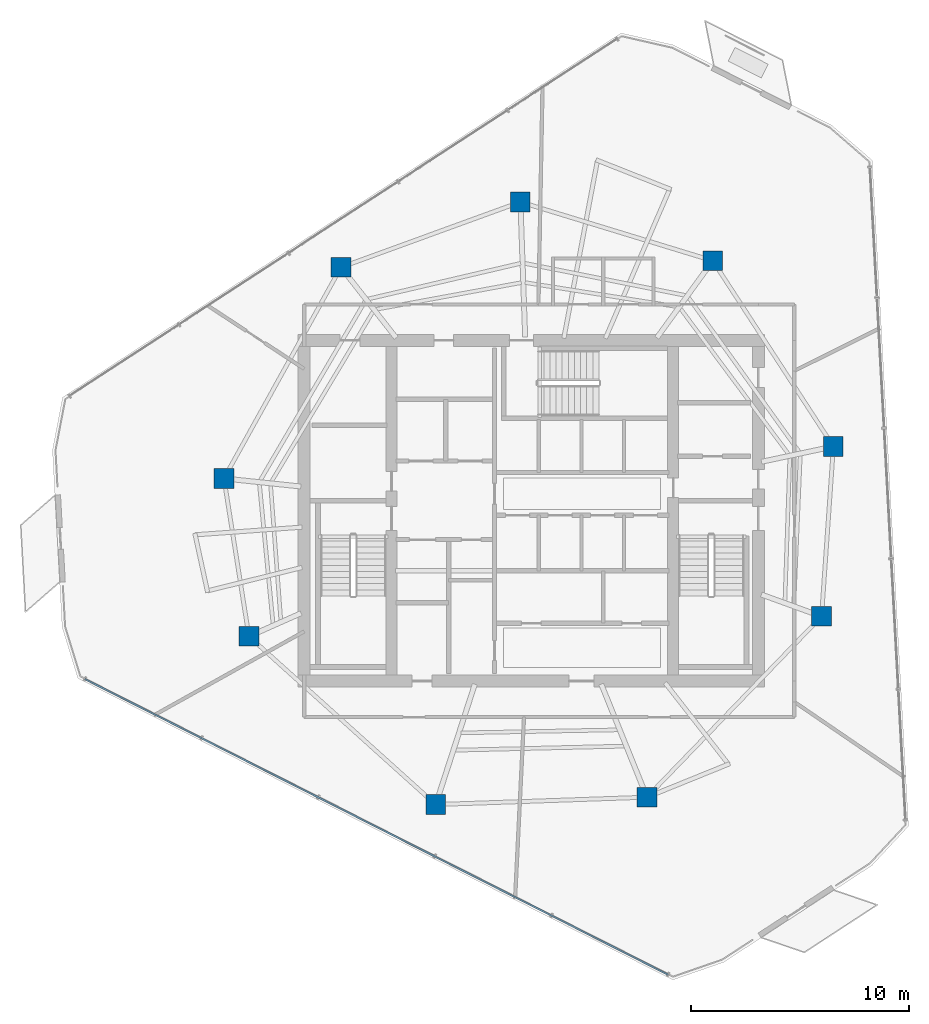
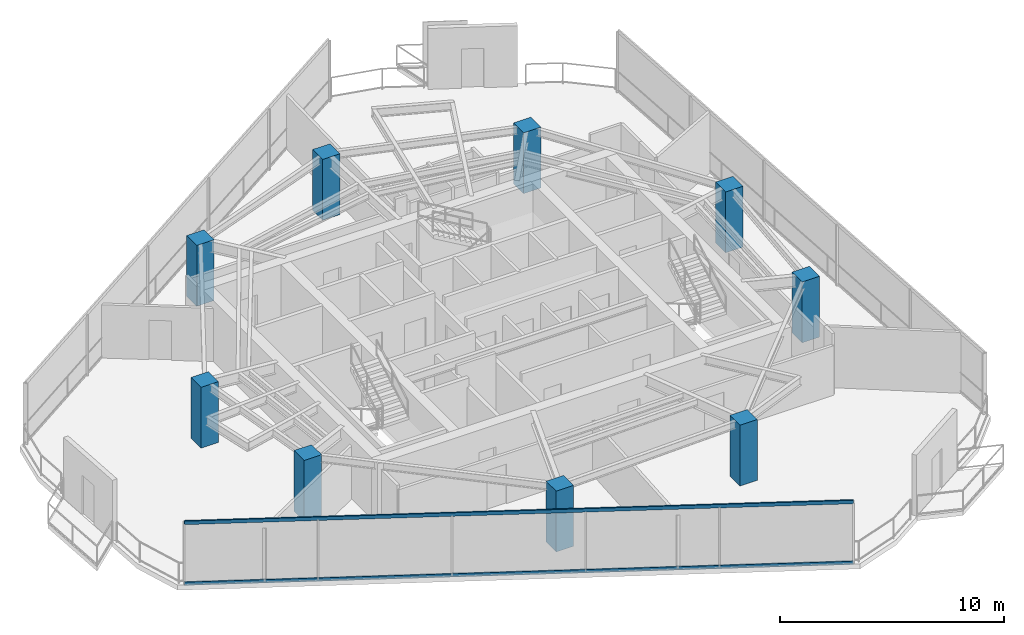
# One storey, part 1 of 18: 9 columns, 2 members, 1 element without a shape of its own.
"""IFC4 building model written with IfcOpenShell, lengths in metres."""

from ifc_helpers import new_model, si_unit, direction, frame, origin, origin_2d, place, context, subcontext, project, spatial, rectangle, hollow_rectangle, extrude, material, layer, layer_set, material_profile, profile_set, type_object, element, aggregate, save


model = new_model("IFC4")

# Units and contexts
model_context = context("Model", 3, precision=1e-05, world=origin(), true_north=direction((0.0, 1.0)))
body_context = subcontext(model_context, "Body", "Model", "MODEL_VIEW")
ifc_project = project(units=[si_unit("LENGTHUNIT", "METRE"), si_unit("AREAUNIT", "SQUARE_METRE"), si_unit("VOLUMEUNIT", "CUBIC_METRE"), si_unit("PLANEANGLEUNIT", "RADIAN"), si_unit("MASSUNIT", "GRAM", prefix="KILO")], contexts=[model_context])

# Site, building, storey
site_placement = place(None, origin())
site = spatial("IfcSite", under=ifc_project, at=site_placement, CompositionType="ELEMENT")
building_placement = place(site_placement, origin())
building = spatial("IfcBuilding", under=site, at=building_placement, Name="Qarnah Convention Tower", CompositionType="ELEMENT")
storey_placement = place(building_placement, frame((0.0, 0.0, 191.39990234375)))
storey = spatial("IfcBuildingStorey", under=building, at=storey_placement, Name="L51", CompositionType="ELEMENT", Elevation=191.39990234375)

# Columns
ifc_material_1 = material(Name="Concrete C50/60", Category="concrete")
ifc_material_profile_1 = material_profile(ifc_material_1, rectangle(XDim=0.89990234375, YDim=0.89990234375, at=origin_2d()), Name="RC-COL-900X900")
ifc_profile_set_1 = profile_set([ifc_material_profile_1], Name="Concrete C50/60")
column_type = type_object("IfcColumnType", Name="COL-Z4-900", PredefinedType="COLUMN", material=ifc_profile_set_1)
for number, where, z_axis, x_axis, name in (
    (1, (51.041015625, 29.342041015625, 0.0), (0.0, 0.0, 1.0), (1.0, 0.0, 0.0), "L51 plumb column PC-Z4-01"),
    (2, (45.51708984375, 37.847900390625, 0.0), (0.0, 0.0, 1.0), (1.0, 0.0, 0.0), "L51 plumb column PC-Z4-02"),
    (3, (36.7060546875, 40.541015625, 0.0), (0.0, 0.0, 1.0), (1.0, 0.0, 0.0), "L51 plumb column PC-Z4-03"),
    (4, (28.488037109375, 37.550048828125, 0.0), (0.0, 0.0, 1.0), (1.0, 0.0, 0.0), "L51 plumb column PC-Z4-04"),
    (5, (23.1279296875, 27.87890625, 0.0), (0.0, 0.0, 1.0), (1.0, 0.0, 0.0), "L51 plumb column PC-Z4-05"),
    (6, (24.27294921875, 20.64501953125, 0.0), (0.0, 0.0, 1.0), (1.0, 0.0, 0.0), "L51 plumb column PC-Z4-06"),
    (7, (32.826904296875, 12.943115234375, 0.0), (0.0, 0.0, 1.0), (1.0, 0.0, 0.0), "L51 plumb column PC-Z4-07"),
    (8, (42.5009765625, 13.280029296875, 0.0), (0.0, 0.0, 1.0), (1.0, 0.0, 0.0), "L51 plumb column PC-Z4-08"),
    (9, (50.4970703125, 21.56005859375, 0.0), (0.0, 0.0, 1.0), (1.0, 0.0, 0.0), "L51 plumb column PC-Z4-09"),
):
    element("IfcColumn", number, at=place(storey_placement, frame(where, z_axis=z_axis, x_axis=x_axis)), inside=storey, type_object=column_type, Name=name, PredefinedType="COLUMN", context=body_context, shape_type="SweptSolid", body=[
        extrude(rectangle(XDim=0.89990234375, YDim=0.89990234375, at=origin_2d()), origin(), (0.0, 0.0, 1.0), 3.320068359375),
    ])

# Curtain wall, members
ifc_material_2 = material(Name="Tempered Low-E dark glass", Category="glass")
ifc_layer = layer(ifc_material_2, 0.174072265625)
ifc_layer_set = layer_set([ifc_layer], Name="Tempered Low-E dark glass")
curtain_wall_type = type_object("IfcCurtainWallType", Name="CWS-04", PredefinedType="NOTDEFINED", material=ifc_layer_set)
curtain_wall_placement = place(storey_placement, origin())
curtain_wall = element("IfcCurtainWall", 10, at=curtain_wall_placement, inside=storey, type_object=curtain_wall_type, Name="L51 unitised curtain wall CW-L51-F3", PredefinedType="NOTDEFINED")
ifc_material_3 = material(Name="Black anodised aluminium", Category="aluminium")
ifc_material_profile_2 = material_profile(ifc_material_3, hollow_rectangle(XDim=0.074951171875, YDim=0.18994140625, WallThickness=0.0048828125, at=origin_2d()), Name="TRN-75X190")
ifc_profile_set_2 = profile_set([ifc_material_profile_2], Name="Black anodised aluminium")
member_type = type_object("IfcMemberType", Name="TRN-T4", PredefinedType="USERDEFINED", material=ifc_profile_set_2)
member_1_placement = place(storey_placement, frame((43.469970703125, 5.15087890625, 0.0), z_axis=(-0.891967921799, 0.452098691086, 0.0), x_axis=(-0.452098691086, -0.891967921799, 0.0)))
member_1 = element("IfcMember", 11, at=member_1_placement, type_object=member_type, Name="CW-L51-F3 transom 1", ObjectType="TRANSOM", PredefinedType="USERDEFINED", context=body_context, shape_type="SweptSolid", body=[
    extrude(hollow_rectangle(XDim=0.074951171875, YDim=0.18994140625, WallThickness=0.0048828125, at=origin_2d()), origin(), (0.0, 0.0, 1.0), 29.945068359375),
])
member_2_placement = place(storey_placement, frame((43.469970703125, 5.15087890625, 3.320068359375), z_axis=(-0.891967921799, 0.452098691086, 0.0), x_axis=(-0.452098691086, -0.891967921799, 0.0)))
member_2 = element("IfcMember", 12, at=member_2_placement, type_object=member_type, Name="CW-L51-F3 transom 2", ObjectType="TRANSOM", PredefinedType="USERDEFINED", context=body_context, shape_type="SweptSolid", body=[
    extrude(hollow_rectangle(XDim=0.074951171875, YDim=0.18994140625, WallThickness=0.0048828125, at=origin_2d()), origin(), (0.0, 0.0, 1.0), 29.945068359375),
])
aggregate(curtain_wall, [member_1, member_2])

save(model, "model.ifc")
